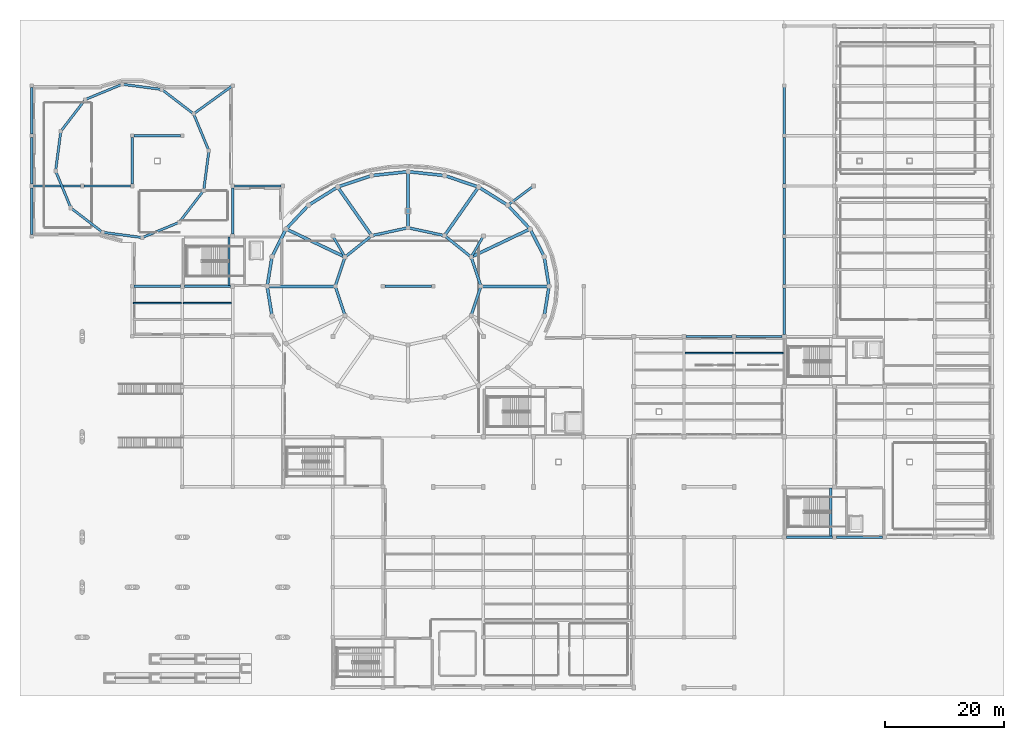
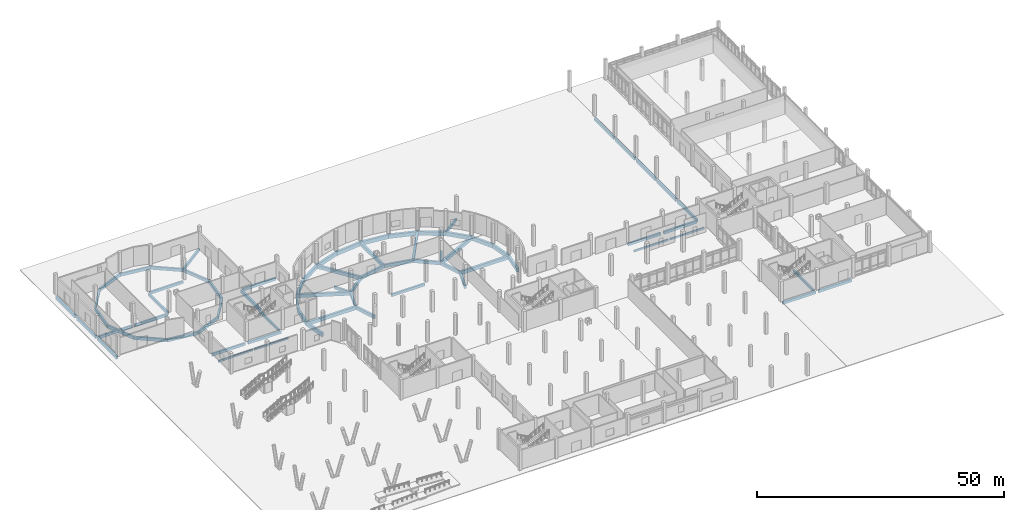
# One storey, part 13 of 64: 72 beams.
"""IFC4 building model written with IfcOpenShell, lengths in metres."""

from ifc_helpers import new_model, si_unit, derived_unit, direction, frame, origin, origin_2d, place, context, subcontext, project, spatial, rectangle, extrude, material, material_profile, profile_set, type_object, element, save


model = new_model("IFC4")

# Units and contexts
model_context = context("Model", 3, precision=1e-05, world=origin(), true_north=direction((0.0, 1.0)))
body_context = subcontext(model_context, "Body", "Model", "MODEL_VIEW")
ifc_project = project(units=[si_unit("LENGTHUNIT", "METRE"), si_unit("AREAUNIT", "SQUARE_METRE"), si_unit("VOLUMEUNIT", "CUBIC_METRE"), si_unit("PLANEANGLEUNIT", "RADIAN"), si_unit("MASSUNIT", "GRAM", prefix="KILO"), derived_unit("THERMALTRANSMITTANCEUNIT", [(si_unit("POWERUNIT", "WATT"), 1), (si_unit("LENGTHUNIT", "METRE"), -2), (si_unit("THERMODYNAMICTEMPERATUREUNIT", "KELVIN"), -1)])], contexts=[model_context])

# Site, building, storey
site_placement = place(None, origin())
site = spatial("IfcSite", under=ifc_project, at=site_placement, CompositionType="ELEMENT")
building_placement = place(site_placement, origin())
building = spatial("IfcBuilding", under=site, at=building_placement, Name="Elbkamm Science Centre", CompositionType="ELEMENT")
storey_placement = place(building_placement, origin())
storey = spatial("IfcBuildingStorey", under=building, at=storey_placement, Name="L00", CompositionType="ELEMENT", Elevation=0.0)

# Beams
ifc_material = material(Name="Concrete C40/50", Category="concrete")
ifc_material_profile_1 = material_profile(ifc_material, rectangle(XDim=0.35009765625, YDim=0.60009765625, at=origin_2d()), Name="RC 350x600")
ifc_profile_set_1 = profile_set([ifc_material_profile_1], Name="Concrete C40/50")
beam_type_1 = type_object("IfcBeamType", Name="BM-RC-350x600", PredefinedType="BEAM", material=ifc_profile_set_1)
for number, where, z_axis, x_axis, name in (
    (1, (32.97998046875, 67.35009765625, -0.300048828125), (0.0, 1.0, 0.0), (-1.0, 0.0, 0.0), "L00 ST-C1 Landing Trimmer Beam"),
    (2, (133.780029296875, 25.35009765625, -0.300048828125), (0.0, 1.0, 0.0), (-1.0, 0.0, 0.0), "L00 ST-C4 Landing Trimmer Beam"),
):
    element("IfcBeam", number, at=place(storey_placement, frame(where, z_axis=z_axis, x_axis=x_axis)), inside=storey, type_object=beam_type_1, Name=name, PredefinedType="BEAM", context=body_context, shape_type="SweptSolid", body=[
        extrude(rectangle(XDim=0.35009765625, YDim=0.60009765625, at=origin_2d()), origin(), (0.0, 0.0, 1.0), 8.099853515625),
    ])
ifc_material_profile_2 = material_profile(ifc_material, rectangle(XDim=0.39990234375, YDim=0.64990234375, at=origin_2d()), Name="RC 400x650")
ifc_profile_set_2 = profile_set([ifc_material_profile_2], Name="Concrete C40/50")
beam_type_2 = type_object("IfcBeamType", Name="BM-RC-400x650", PredefinedType="BEAM", material=ifc_profile_set_2)
for number, where, z_axis, x_axis, name in (
    (3, (126.35009765625, 25.199951171875, -0.625), (1.0, 0.0, 0.0), (0.0, 1.0, 0.0), "L00 Primary X-Girder 025"),
    (4, (134.75, 25.199951171875, -0.625), (1.0, 0.0, 0.0), (0.0, 1.0, 0.0), "L00 Primary X-Girder 026"),
    (5, (109.550048828125, 58.800048828125, -0.625), (1.0, 0.0, 0.0), (0.0, 1.0, 0.0), "L00 Primary X-Girder 062"),
    (6, (117.949951171875, 58.800048828125, -0.625), (1.0, 0.0, 0.0), (0.0, 1.0, 0.0), "L00 Primary X-Girder 063"),
):
    element("IfcBeam", number, at=place(storey_placement, frame(where, z_axis=z_axis, x_axis=x_axis)), inside=storey, type_object=beam_type_2, Name=name, PredefinedType="BEAM", context=body_context, shape_type="SweptSolid", body=[
        extrude(rectangle(XDim=0.39990234375, YDim=0.64990234375, at=origin_2d()), origin(), (0.0, 0.0, 1.0), 7.699951171875),
    ])
beam_1_placement = place(storey_placement, frame((17.10009765625, 67.199951171875, -0.625), z_axis=(1.0, 0.0, 0.0), x_axis=(0.0, 1.0, 0.0)))
element("IfcBeam", 7, at=beam_1_placement, inside=storey, type_object=beam_type_2, Name="L00 Primary X-Girder 066", PredefinedType="BEAM", context=body_context, shape_type="SweptSolid", body=[
    extrude(rectangle(XDim=0.39990234375, YDim=0.64990234375, at=origin_2d()), origin(), (0.0, 0.0, 1.0), 7.75),
])
beam_2_placement = place(storey_placement, frame((25.550048828125, 67.199951171875, -0.625), z_axis=(1.0, 0.0, 0.0), x_axis=(0.0, 1.0, 0.0)))
element("IfcBeam", 8, at=beam_2_placement, inside=storey, type_object=beam_type_2, Name="L00 Primary X-Girder 067", PredefinedType="BEAM", context=body_context, shape_type="SweptSolid", body=[
    extrude(rectangle(XDim=0.39990234375, YDim=0.64990234375, at=origin_2d()), origin(), (0.0, 0.0, 1.0), 7.699951171875),
])
beam_3_placement = place(storey_placement, frame((59.10009765625, 67.199951171875, -0.625), z_axis=(1.0, 0.0, 0.0), x_axis=(0.0, 1.0, 0.0)))
element("IfcBeam", 9, at=beam_3_placement, inside=storey, type_object=beam_type_2, Name="L00 Primary X-Girder 068", PredefinedType="BEAM", context=body_context, shape_type="SweptSolid", body=[
    extrude(rectangle(XDim=0.39990234375, YDim=0.64990234375, at=origin_2d()), origin(), (0.0, 0.0, 1.0), 7.7998046875),
])
for number, where, z_axis, x_axis, name in (
    (10, (0.300048828125, 84.0, -0.625), (1.0, 0.0, 0.0), (0.0, 1.0, 0.0), "L00 Primary X-Girder 077"),
    (11, (8.699951171875, 84.0, -0.625), (1.0, 0.0, 0.0), (0.0, 1.0, 0.0), "L00 Primary X-Girder 078"),
    (12, (33.89990234375, 84.0, -0.625), (1.0, 0.0, 0.0), (0.0, 1.0, 0.0), "L00 Primary X-Girder 079"),
):
    element("IfcBeam", number, at=place(storey_placement, frame(where, z_axis=z_axis, x_axis=x_axis)), inside=storey, type_object=beam_type_2, Name=name, PredefinedType="BEAM", context=body_context, shape_type="SweptSolid", body=[
        extrude(rectangle(XDim=0.39990234375, YDim=0.64990234375, at=origin_2d()), origin(), (0.0, 0.0, 1.0), 7.800048828125),
    ])
beam_4_placement = place(storey_placement, frame((17.10009765625, 92.39990234375, -0.625), z_axis=(1.0, 0.0, 0.0), x_axis=(0.0, 1.0, 0.0)))
element("IfcBeam", 13, at=beam_4_placement, inside=storey, type_object=beam_type_2, Name="L00 Primary X-Girder 084", PredefinedType="BEAM", context=body_context, shape_type="SweptSolid", body=[
    extrude(rectangle(XDim=0.39990234375, YDim=0.64990234375, at=origin_2d()), origin(), (0.0, 0.0, 1.0), 7.7998046875),
])
beam_5_placement = place(storey_placement, frame((33.421630859375, 100.671142578125, -0.625), z_axis=(-0.81045928616, -0.585794968805, 0.0), x_axis=(0.585794968805, -0.81045928616, 0.0)))
element("IfcBeam", 14, at=beam_5_placement, inside=storey, type_object=beam_type_2, Name="L00 Perimeter Ring Tie Girder 009", PredefinedType="BEAM", context=body_context, shape_type="SweptSolid", body=[
    extrude(rectangle(XDim=0.39990234375, YDim=0.64990234375, at=origin_2d()), origin(), (0.0, 0.0, 1.0), 7.6123046875),
])
for number, where, z_axis, x_axis, name in (
    (15, (50.510498046875, 75.409912109375, -0.625), (0.502465212806, -0.864597426506, 0.0), (0.864597426506, 0.502465212806, 0.0), "L00 Perimeter Ring Tie Girder 011"),
    (16, (75.489501953125, 75.409912109375, -0.625), (-0.502465212806, -0.864597426506, 0.0), (0.864597426506, -0.502465212806, 0.0), "L00 Perimeter Ring Tie Girder 013"),
):
    element("IfcBeam", number, at=place(storey_placement, frame(where, z_axis=z_axis, x_axis=x_axis)), inside=storey, type_object=beam_type_2, Name=name, PredefinedType="BEAM", context=body_context, shape_type="SweptSolid", body=[
        extrude(rectangle(XDim=0.39990234375, YDim=0.64990234375, at=origin_2d()), origin(), (0.0, 0.0, 1.0), 3.608154296875),
    ])
beam_6_placement = place(storey_placement, frame((83.82373046875, 83.868408203125, -0.625), z_axis=(-0.800864326985, -0.598845831382, 0.0), x_axis=(0.598845831382, -0.800864326985, 0.0)))
element("IfcBeam", 17, at=beam_6_placement, inside=storey, type_object=beam_type_2, Name="L00 Perimeter Ring Tie Girder 015", PredefinedType="BEAM", context=body_context, shape_type="SweptSolid", body=[
    extrude(rectangle(XDim=0.39990234375, YDim=0.64990234375, at=origin_2d()), origin(), (0.0, 0.0, 1.0), 4.944091796875),
])
beam_7_placement = place(storey_placement, frame((126.0, 100.580078125, -0.625), z_axis=(0.0, -1.0, 0.0), x_axis=(1.0, 0.0, 0.0)))
element("IfcBeam", 18, at=beam_7_placement, inside=storey, type_object=beam_type_2, Name="L00 Perimeter Ring Tie Girder 016", PredefinedType="BEAM", context=body_context, shape_type="SweptSolid", body=[
    extrude(rectangle(XDim=0.39990234375, YDim=0.64990234375, at=origin_2d()), origin(), (0.0, 0.0, 1.0), 7.9599609375),
])
ifc_material_profile_3 = material_profile(ifc_material, rectangle(XDim=0.39990234375, YDim=0.75, at=origin_2d()), Name="RC 400x750")
ifc_profile_set_3 = profile_set([ifc_material_profile_3], Name="Concrete C40/50")
beam_type_3 = type_object("IfcBeamType", Name="BM-RC-400x750", PredefinedType="BEAM", material=ifc_profile_set_3)
for number, where, z_axis, x_axis, name in (
    (19, (0.0, 75.89990234375, -0.675048828125), (0.0, 1.0, 0.0), (-1.0, 0.0, 0.0), "L00 Primary Y-Girder 001"),
    (20, (0.0, 84.300048828125, -0.675048828125), (0.0, 1.0, 0.0), (-1.0, 0.0, 0.0), "L00 Primary Y-Girder 002"),
    (21, (0.0, 92.699951171875, -0.675048828125), (0.0, 1.0, 0.0), (-1.0, 0.0, 0.0), "L00 Primary Y-Girder 003"),
    (22, (16.800048828125, 84.300048828125, -0.675048828125), (0.0, 1.0, 0.0), (-1.0, 0.0, 0.0), "L00 Primary Y-Girder 005"),
):
    element("IfcBeam", number, at=place(storey_placement, frame(where, z_axis=z_axis, x_axis=x_axis)), inside=storey, type_object=beam_type_3, Name=name, PredefinedType="BEAM", context=body_context, shape_type="SweptSolid", body=[
        extrude(rectangle(XDim=0.39990234375, YDim=0.75, at=origin_2d()), origin(), (0.0, 0.0, 1.0), 7.800048828125),
    ])
for number, where, z_axis, x_axis, name in (
    (23, (33.60009765625, 75.949951171875, -0.675048828125), (0.0, 1.0, 0.0), (-1.0, 0.0, 0.0), "L00 Primary Y-Girder 014"),
    (24, (126.0, 59.14990234375, -0.675048828125), (0.0, 1.0, 0.0), (-1.0, 0.0, 0.0), "L00 Primary Y-Girder 050"),
):
    element("IfcBeam", number, at=place(storey_placement, frame(where, z_axis=z_axis, x_axis=x_axis)), inside=storey, type_object=beam_type_3, Name=name, PredefinedType="BEAM", context=body_context, shape_type="SweptSolid", body=[
        extrude(rectangle(XDim=0.39990234375, YDim=0.75, at=origin_2d()), origin(), (0.0, 0.0, 1.0), 7.75),
    ])
for number, where, z_axis, x_axis, name in (
    (25, (126.0, 67.5, -0.675048828125), (0.0, 1.0, 0.0), (-1.0, 0.0, 0.0), "L00 Primary Y-Girder 051"),
    (26, (126.0, 75.89990234375, -0.675048828125), (0.0, 1.0, 0.0), (-1.0, 0.0, 0.0), "L00 Primary Y-Girder 052"),
    (27, (126.0, 84.300048828125, -0.675048828125), (0.0, 1.0, 0.0), (-1.0, 0.0, 0.0), "L00 Primary Y-Girder 053"),
):
    element("IfcBeam", number, at=place(storey_placement, frame(where, z_axis=z_axis, x_axis=x_axis)), inside=storey, type_object=beam_type_3, Name=name, PredefinedType="BEAM", context=body_context, shape_type="SweptSolid", body=[
        extrude(rectangle(XDim=0.39990234375, YDim=0.75, at=origin_2d()), origin(), (0.0, 0.0, 1.0), 7.800048828125),
    ])
for number, where, z_axis, x_axis, name in (
    (28, (29.638916015625, 89.889892578125, -0.675048828125), (-0.382641294893, 0.923896985298, 0.0), (-0.923896985298, -0.382641294893, 0.0), "L00 Planetarium Drum Ring Spandrel 01"),
    (29, (27.073974609375, 96.0830078125, -0.675048828125), (-0.793316689519, 0.608809190249, 0.0), (-0.608809190249, -0.793316689519, 0.0), "L00 Planetarium Drum Ring Spandrel 02"),
    (30, (21.756103515625, 100.1640625, -0.675048828125), (-0.991444127465, 0.13053176669, 0.0), (-0.13053176669, -0.991444127465, 0.0), "L00 Planetarium Drum Ring Spandrel 03"),
    (31, (15.110107421875, 101.0390625, -0.675048828125), (-0.923896985298, -0.382641294893, 0.0), (0.382641294893, -0.923896985298, 0.0), "L00 Planetarium Drum Ring Spandrel 04"),
):
    element("IfcBeam", number, at=place(storey_placement, frame(where, z_axis=z_axis, x_axis=x_axis)), inside=storey, type_object=beam_type_3, Name=name, PredefinedType="SPANDREL", context=body_context, shape_type="SweptSolid", body=[
        extrude(rectangle(XDim=0.39990234375, YDim=0.75, at=origin_2d()), origin(), (0.0, 0.0, 1.0), 6.703369140625),
    ])
beam_8_placement = place(storey_placement, frame((8.9169921875, 98.47412109375, -0.675048828125), z_axis=(-0.60879160017, -0.793330188233, 0.0), x_axis=(0.793330188233, -0.60879160017, 0.0)))
element("IfcBeam", 32, at=beam_8_placement, inside=storey, type_object=beam_type_3, Name="L00 Planetarium Drum Ring Spandrel 05", PredefinedType="SPANDREL", context=body_context, shape_type="SweptSolid", body=[
    extrude(rectangle(XDim=0.39990234375, YDim=0.75, at=origin_2d()), origin(), (0.0, 0.0, 1.0), 6.70361328125),
])
for number, where, z_axis, x_axis, name in (
    (33, (4.8359375, 93.156005859375, -0.675048828125), (-0.13053176669, -0.991444127465, 0.0), (0.991444127465, -0.13053176669, 0.0), "L00 Planetarium Drum Ring Spandrel 06"),
    (34, (3.9609375, 86.510009765625, -0.675048828125), (0.382641294893, -0.923896985298, 0.0), (0.923896985298, 0.382641294893, 0.0), "L00 Planetarium Drum Ring Spandrel 07"),
    (35, (6.52587890625, 80.31689453125, -0.675048828125), (0.793347778012, -0.608768677844, 0.0), (0.608768677844, 0.793347778012, 0.0), "L00 Planetarium Drum Ring Spandrel 08"),
    (36, (11.843994140625, 76.236083984375, -0.675048828125), (0.991444127465, -0.13053176669, 0.0), (0.13053176669, 0.991444127465, 0.0), "L00 Planetarium Drum Ring Spandrel 09"),
    (37, (18.489990234375, 75.361083984375, -0.675048828125), (0.923896985298, 0.382641294893, 0.0), (-0.382641294893, 0.923896985298, 0.0), "L00 Planetarium Drum Ring Spandrel 10"),
):
    element("IfcBeam", number, at=place(storey_placement, frame(where, z_axis=z_axis, x_axis=x_axis)), inside=storey, type_object=beam_type_3, Name=name, PredefinedType="SPANDREL", context=body_context, shape_type="SweptSolid", body=[
        extrude(rectangle(XDim=0.39990234375, YDim=0.75, at=origin_2d()), origin(), (0.0, 0.0, 1.0), 6.703369140625),
    ])
beam_9_placement = place(storey_placement, frame((24.68310546875, 77.926025390625, -0.675048828125), z_axis=(0.60878626804, 0.793334280015, 0.0), x_axis=(-0.793334280015, 0.60878626804, 0.0)))
element("IfcBeam", 38, at=beam_9_placement, inside=storey, type_object=beam_type_3, Name="L00 Planetarium Drum Ring Spandrel 11", PredefinedType="SPANDREL", context=body_context, shape_type="SweptSolid", body=[
    extrude(rectangle(XDim=0.39990234375, YDim=0.75, at=origin_2d()), origin(), (0.0, 0.0, 1.0), 6.703125),
])
beam_10_placement = place(storey_placement, frame((28.763916015625, 83.243896484375, -0.675048828125), z_axis=(0.13053176669, 0.991444127465, 0.0), x_axis=(-0.991444127465, 0.13053176669, 0.0)))
element("IfcBeam", 39, at=beam_10_placement, inside=storey, type_object=beam_type_3, Name="L00 Planetarium Drum Ring Spandrel 12", PredefinedType="SPANDREL", context=body_context, shape_type="SweptSolid", body=[
    extrude(rectangle(XDim=0.39990234375, YDim=0.75, at=origin_2d()), origin(), (0.0, 0.0, 1.0), 6.703369140625),
])
ifc_material_profile_4 = material_profile(ifc_material, rectangle(XDim=0.449951171875, YDim=0.800048828125, at=origin_2d()), Name="RC 450x800")
ifc_profile_set_4 = profile_set([ifc_material_profile_4], Name="Concrete C40/50")
beam_type_4 = type_object("IfcBeamType", Name="BM-RC-450x800", PredefinedType="BEAM", material=ifc_profile_set_4)
beam_11_placement = place(storey_placement, frame((75.199951171875, 67.199951171875, -0.699951171875), z_axis=(-0.31634119852, 0.948645479681, 0.0), x_axis=(-0.948645479681, -0.31634119852, 0.0)))
element("IfcBeam", 40, at=beam_11_placement, inside=storey, type_object=beam_type_4, Name="L00 Atrium Ring Girder 01", PredefinedType="BEAM", context=body_context, shape_type="SweptSolid", body=[
    extrude(rectangle(XDim=0.449951171875, YDim=0.800048828125, at=origin_2d()), origin(), (0.0, 0.0, 1.0), 5.16552734375),
])
beam_12_placement = place(storey_placement, frame((73.56591796875, 72.10009765625, -0.699951171875), z_axis=(-0.779653109273, 0.626211648887, 0.0), x_axis=(-0.626211648887, -0.779653109273, 0.0)))
element("IfcBeam", 41, at=beam_12_placement, inside=storey, type_object=beam_type_4, Name="L00 Atrium Ring Girder 02", PredefinedType="BEAM", context=body_context, shape_type="SweptSolid", body=[
    extrude(rectangle(XDim=0.449951171875, YDim=0.800048828125, at=origin_2d()), origin(), (0.0, 0.0, 1.0), 5.72802734375),
])
for number, where, z_axis, x_axis, name in (
    (42, (69.10009765625, 75.68701171875, -0.699951171875), (-0.97761076487, 0.210421463759, 0.0), (-0.210421463759, -0.97761076487, 0.0), "L00 Atrium Ring Girder 03"),
    (43, (63.0, 77.0, -0.699951171875), (-0.97761076487, -0.210421463759, 0.0), (0.210421463759, -0.97761076487, 0.0), "L00 Atrium Ring Girder 04"),
):
    element("IfcBeam", number, at=place(storey_placement, frame(where, z_axis=z_axis, x_axis=x_axis)), inside=storey, type_object=beam_type_4, Name=name, PredefinedType="BEAM", context=body_context, shape_type="SweptSolid", body=[
        extrude(rectangle(XDim=0.449951171875, YDim=0.800048828125, at=origin_2d()), origin(), (0.0, 0.0, 1.0), 6.23974609375),
    ])
beam_13_placement = place(storey_placement, frame((56.89990234375, 75.68701171875, -0.699951171875), z_axis=(-0.779653109273, -0.626211648887, 0.0), x_axis=(0.626211648887, -0.779653109273, 0.0)))
element("IfcBeam", 44, at=beam_13_placement, inside=storey, type_object=beam_type_4, Name="L00 Atrium Ring Girder 05", PredefinedType="BEAM", context=body_context, shape_type="SweptSolid", body=[
    extrude(rectangle(XDim=0.449951171875, YDim=0.800048828125, at=origin_2d()), origin(), (0.0, 0.0, 1.0), 5.72802734375),
])
beam_14_placement = place(storey_placement, frame((52.43408203125, 72.10009765625, -0.699951171875), z_axis=(-0.31634119852, -0.948645479681, 0.0), x_axis=(0.948645479681, -0.31634119852, 0.0)))
element("IfcBeam", 45, at=beam_14_placement, inside=storey, type_object=beam_type_4, Name="L00 Atrium Ring Girder 06", PredefinedType="BEAM", context=body_context, shape_type="SweptSolid", body=[
    extrude(rectangle(XDim=0.449951171875, YDim=0.800048828125, at=origin_2d()), origin(), (0.0, 0.0, 1.0), 5.16552734375),
])
for number, where, z_axis, x_axis, name in (
    (46, (50.800048828125, 67.199951171875, -0.699951171875), (0.316355382987, -0.948640749523, 0.0), (0.948640749523, 0.316355382987, 0.0), "L00 Atrium Ring Girder 07"),
    (47, (73.56591796875, 62.300048828125, -0.699951171875), (0.316355382987, 0.948640749523, 0.0), (-0.948640749523, 0.316355382987, 0.0), "L00 Atrium Ring Girder 12"),
):
    element("IfcBeam", number, at=place(storey_placement, frame(where, z_axis=z_axis, x_axis=x_axis)), inside=storey, type_object=beam_type_4, Name=name, PredefinedType="BEAM", context=body_context, shape_type="SweptSolid", body=[
        extrude(rectangle(XDim=0.449951171875, YDim=0.800048828125, at=origin_2d()), origin(), (0.0, 0.0, 1.0), 5.165283203125),
    ])
ifc_material_profile_5 = material_profile(ifc_material, rectangle(XDim=0.5, YDim=0.85009765625, at=origin_2d()), Name="RC 500x850")
ifc_profile_set_5 = profile_set([ifc_material_profile_5], Name="Concrete C40/50")
beam_type_5 = type_object("IfcBeamType", Name="BM-RC-500x850", PredefinedType="BEAM", material=ifc_profile_set_5)
beam_15_placement = place(storey_placement, frame((75.199951171875, 67.199951171875, -0.72509765625), z_axis=(1.0, 0.0, 0.0), x_axis=(0.0, 1.0, 0.0)))
element("IfcBeam", 48, at=beam_15_placement, inside=storey, type_object=beam_type_5, Name="L00 Elliptical Radial Girder 01", PredefinedType="BEAM", context=body_context, shape_type="SweptSolid", body=[
    extrude(rectangle(XDim=0.5, YDim=0.85009765625, at=origin_2d()), origin(), (0.0, 0.0, 1.0), 11.400146484375),
])
beam_16_placement = place(storey_placement, frame((73.56591796875, 72.10009765625, -0.72509765625), z_axis=(0.902897249077, 0.429856438371, 0.0), x_axis=(-0.429856438371, 0.902897249077, 0.0)))
element("IfcBeam", 49, at=beam_16_placement, inside=storey, type_object=beam_type_5, Name="L00 Elliptical Radial Girder 02", PredefinedType="BEAM", context=body_context, shape_type="SweptSolid", body=[
    extrude(rectangle(XDim=0.5, YDim=0.85009765625, at=origin_2d()), origin(), (0.0, 0.0, 1.0), 10.933837890625),
])
beam_17_placement = place(storey_placement, frame((69.10009765625, 75.68701171875, -0.72509765625), z_axis=(0.573553022395, 0.819168438419, 0.0), x_axis=(-0.819168438419, 0.573553022395, 0.0)))
element("IfcBeam", 50, at=beam_17_placement, inside=storey, type_object=beam_type_5, Name="L00 Elliptical Radial Girder 03", PredefinedType="BEAM", context=body_context, shape_type="SweptSolid", body=[
    extrude(rectangle(XDim=0.5, YDim=0.85009765625, at=origin_2d()), origin(), (0.0, 0.0, 1.0), 9.93798828125),
])
beam_18_placement = place(storey_placement, frame((63.0, 77.0, -0.72509765625), z_axis=(0.0, 1.0, 0.0), x_axis=(-1.0, 0.0, 0.0)))
element("IfcBeam", 51, at=beam_18_placement, inside=storey, type_object=beam_type_5, Name="L00 Elliptical Radial Girder 04", PredefinedType="BEAM", context=body_context, shape_type="SweptSolid", body=[
    extrude(rectangle(XDim=0.5, YDim=0.85009765625, at=origin_2d()), origin(), (0.0, 0.0, 1.0), 9.39990234375),
])
beam_19_placement = place(storey_placement, frame((56.89990234375, 75.68701171875, -0.72509765625), z_axis=(-0.573553022395, 0.819168438419, 0.0), x_axis=(-0.819168438419, -0.573553022395, 0.0)))
element("IfcBeam", 52, at=beam_19_placement, inside=storey, type_object=beam_type_5, Name="L00 Elliptical Radial Girder 05", PredefinedType="BEAM", context=body_context, shape_type="SweptSolid", body=[
    extrude(rectangle(XDim=0.5, YDim=0.85009765625, at=origin_2d()), origin(), (0.0, 0.0, 1.0), 9.93798828125),
])
beam_20_placement = place(storey_placement, frame((52.43408203125, 72.10009765625, -0.72509765625), z_axis=(-0.902897249077, 0.429856438371, 0.0), x_axis=(-0.429856438371, -0.902897249077, 0.0)))
element("IfcBeam", 53, at=beam_20_placement, inside=storey, type_object=beam_type_5, Name="L00 Elliptical Radial Girder 06", PredefinedType="BEAM", context=body_context, shape_type="SweptSolid", body=[
    extrude(rectangle(XDim=0.5, YDim=0.85009765625, at=origin_2d()), origin(), (0.0, 0.0, 1.0), 10.933837890625),
])
beam_21_placement = place(storey_placement, frame((50.800048828125, 67.199951171875, -0.72509765625), z_axis=(-1.0, 0.0, 0.0), x_axis=(0.0, -1.0, 0.0)))
element("IfcBeam", 54, at=beam_21_placement, inside=storey, type_object=beam_type_5, Name="L00 Elliptical Radial Girder 07", PredefinedType="BEAM", context=body_context, shape_type="SweptSolid", body=[
    extrude(rectangle(XDim=0.5, YDim=0.85009765625, at=origin_2d()), origin(), (0.0, 0.0, 1.0), 11.400146484375),
])
ifc_material_profile_6 = material_profile(ifc_material, rectangle(XDim=0.5, YDim=0.949951171875, at=origin_2d()), Name="RC 500x950")
ifc_profile_set_6 = profile_set([ifc_material_profile_6], Name="Concrete C40/50")
beam_type_6 = type_object("IfcBeamType", Name="BM-RC-500x950", PredefinedType="BEAM", material=ifc_profile_set_6)
beam_22_placement = place(storey_placement, frame((86.60009765625, 67.199951171875, -0.77490234375), z_axis=(-0.15976460627, 0.987155140078, 0.0), x_axis=(-0.987155140078, -0.15976460627, 0.0)))
element("IfcBeam", 55, at=beam_22_placement, inside=storey, type_object=beam_type_6, Name="L00 Elliptical Shell Perimeter Ring Beam 01", PredefinedType="SPANDREL", context=body_context, shape_type="SweptSolid", body=[
    extrude(rectangle(XDim=0.5, YDim=0.949951171875, at=origin_2d()), origin(), (0.0, 0.0, 1.0), 5.03369140625),
])
beam_23_placement = place(storey_placement, frame((85.7958984375, 72.1689453125, -0.77490234375), z_axis=(-0.453722384609, 0.891143084866, 0.0), x_axis=(-0.891143084866, -0.453722384609, 0.0)))
element("IfcBeam", 56, at=beam_23_placement, inside=storey, type_object=beam_type_6, Name="L00 Elliptical Shell Perimeter Ring Beam 02", PredefinedType="SPANDREL", context=body_context, shape_type="SweptSolid", body=[
    extrude(rectangle(XDim=0.5, YDim=0.949951171875, at=origin_2d()), origin(), (0.0, 0.0, 1.0), 5.19677734375),
])
beam_24_placement = place(storey_placement, frame((83.43798828125, 76.800048828125, -0.77490234375), z_axis=(-0.686144611421, 0.727465169075, 0.0), x_axis=(-0.727465169075, -0.686144611421, 0.0)))
element("IfcBeam", 57, at=beam_24_placement, inside=storey, type_object=beam_type_6, Name="L00 Elliptical Shell Perimeter Ring Beam 03", PredefinedType="SPANDREL", context=body_context, shape_type="SweptSolid", body=[
    extrude(rectangle(XDim=0.5, YDim=0.949951171875, at=origin_2d()), origin(), (0.0, 0.0, 1.0), 5.46533203125),
])
beam_25_placement = place(storey_placement, frame((79.68798828125, 80.77587890625, -0.77490234375), z_axis=(-0.848229099729, 0.529629487824, 0.0), x_axis=(-0.529629487824, -0.848229099729, 0.0)))
element("IfcBeam", 58, at=beam_25_placement, inside=storey, type_object=beam_type_6, Name="L00 Elliptical Shell Perimeter Ring Beam 04", PredefinedType="SPANDREL", context=body_context, shape_type="SweptSolid", body=[
    extrude(rectangle(XDim=0.5, YDim=0.949951171875, at=origin_2d()), origin(), (0.0, 0.0, 1.0), 5.762451171875),
])
beam_26_placement = place(storey_placement, frame((74.800048828125, 83.827880859375, -0.77490234375), z_axis=(-0.947637651085, 0.319347588444, 0.0), x_axis=(-0.319347588444, -0.947637651085, 0.0)))
element("IfcBeam", 59, at=beam_26_placement, inside=storey, type_object=beam_type_6, Name="L00 Elliptical Shell Perimeter Ring Beam 05", PredefinedType="SPANDREL", context=body_context, shape_type="SweptSolid", body=[
    extrude(rectangle(XDim=0.5, YDim=0.949951171875, at=origin_2d()), origin(), (0.0, 0.0, 1.0), 6.006591796875),
])
for number, where, z_axis, x_axis, name in (
    (60, (69.10791015625, 85.74609375, -0.77490234375), (-0.994319674005, 0.106434890358, 0.0), (-0.106434890358, -0.994319674005, 0.0), "L00 Elliptical Shell Perimeter Ring Beam 06"),
    (61, (63.0, 86.39990234375, -0.77490234375), (-0.994319674005, -0.106434890358, 0.0), (0.106434890358, -0.994319674005, 0.0), "L00 Elliptical Shell Perimeter Ring Beam 07"),
):
    element("IfcBeam", number, at=place(storey_placement, frame(where, z_axis=z_axis, x_axis=x_axis)), inside=storey, type_object=beam_type_6, Name=name, PredefinedType="SPANDREL", context=body_context, shape_type="SweptSolid", body=[
        extrude(rectangle(XDim=0.5, YDim=0.949951171875, at=origin_2d()), origin(), (0.0, 0.0, 1.0), 6.142822265625),
    ])
beam_27_placement = place(storey_placement, frame((56.89208984375, 85.74609375, -0.77490234375), z_axis=(-0.947637651085, -0.319347588444, 0.0), x_axis=(0.319347588444, -0.947637651085, 0.0)))
element("IfcBeam", 62, at=beam_27_placement, inside=storey, type_object=beam_type_6, Name="L00 Elliptical Shell Perimeter Ring Beam 08", PredefinedType="SPANDREL", context=body_context, shape_type="SweptSolid", body=[
    extrude(rectangle(XDim=0.5, YDim=0.949951171875, at=origin_2d()), origin(), (0.0, 0.0, 1.0), 6.006591796875),
])
beam_28_placement = place(storey_placement, frame((51.199951171875, 83.827880859375, -0.77490234375), z_axis=(-0.848229099729, -0.529629487824, 0.0), x_axis=(0.529629487824, -0.848229099729, 0.0)))
element("IfcBeam", 63, at=beam_28_placement, inside=storey, type_object=beam_type_6, Name="L00 Elliptical Shell Perimeter Ring Beam 09", PredefinedType="SPANDREL", context=body_context, shape_type="SweptSolid", body=[
    extrude(rectangle(XDim=0.5, YDim=0.949951171875, at=origin_2d()), origin(), (0.0, 0.0, 1.0), 5.762451171875),
])
beam_29_placement = place(storey_placement, frame((46.31201171875, 80.77587890625, -0.77490234375), z_axis=(-0.686144611421, -0.727465169075, 0.0), x_axis=(0.727465169075, -0.686144611421, 0.0)))
element("IfcBeam", 64, at=beam_29_placement, inside=storey, type_object=beam_type_6, Name="L00 Elliptical Shell Perimeter Ring Beam 10", PredefinedType="SPANDREL", context=body_context, shape_type="SweptSolid", body=[
    extrude(rectangle(XDim=0.5, YDim=0.949951171875, at=origin_2d()), origin(), (0.0, 0.0, 1.0), 5.46533203125),
])
beam_30_placement = place(storey_placement, frame((42.56201171875, 76.800048828125, -0.77490234375), z_axis=(-0.453722384609, -0.891143084866, 0.0), x_axis=(0.891143084866, -0.453722384609, 0.0)))
element("IfcBeam", 65, at=beam_30_placement, inside=storey, type_object=beam_type_6, Name="L00 Elliptical Shell Perimeter Ring Beam 11", PredefinedType="SPANDREL", context=body_context, shape_type="SweptSolid", body=[
    extrude(rectangle(XDim=0.5, YDim=0.949951171875, at=origin_2d()), origin(), (0.0, 0.0, 1.0), 5.19677734375),
])
for number, where, z_axis, x_axis, name in (
    (66, (40.2041015625, 72.1689453125, -0.77490234375), (-0.15976460627, -0.987155140078, 0.0), (0.987155140078, -0.15976460627, 0.0), "L00 Elliptical Shell Perimeter Ring Beam 12"),
    (67, (39.39990234375, 67.199951171875, -0.77490234375), (0.15976460627, -0.987155140078, 0.0), (0.987155140078, 0.15976460627, 0.0), "L00 Elliptical Shell Perimeter Ring Beam 13"),
    (68, (85.7958984375, 62.23095703125, -0.77490234375), (0.15976460627, 0.987155140078, 0.0), (-0.987155140078, 0.15976460627, 0.0), "L00 Elliptical Shell Perimeter Ring Beam 24"),
):
    element("IfcBeam", number, at=place(storey_placement, frame(where, z_axis=z_axis, x_axis=x_axis)), inside=storey, type_object=beam_type_6, Name=name, PredefinedType="SPANDREL", context=body_context, shape_type="SweptSolid", body=[
        extrude(rectangle(XDim=0.5, YDim=0.949951171875, at=origin_2d()), origin(), (0.0, 0.0, 1.0), 5.03369140625),
    ])
ifc_material_profile_7 = material_profile(ifc_material, rectangle(XDim=0.25, YDim=0.449951171875, at=origin_2d()), Name="RC 250x450")
ifc_profile_set_7 = profile_set([ifc_material_profile_7], Name="Concrete C40/50")
beam_type_7 = type_object("IfcBeamType", Name="JST-RC-250x450", PredefinedType="JOIST", material=ifc_profile_set_7)
for number, where, z_axis, x_axis, name in (
    (69, (16.97998046875, 64.39990234375, -0.52490234375), (1.0, 0.0, 0.0), (0.0, 1.0, 0.0), "L00 Secondary Floor Joist 002"),
    (70, (25.3798828125, 64.39990234375, -0.52490234375), (1.0, 0.0, 0.0), (0.0, 1.0, 0.0), "L00 Secondary Floor Joist 004"),
    (71, (109.3798828125, 56.0, -0.52490234375), (1.0, 0.0, 0.0), (0.0, 1.0, 0.0), "L00 Secondary Floor Joist 032"),
    (72, (117.780029296875, 56.0, -0.52490234375), (1.0, 0.0, 0.0), (0.0, 1.0, 0.0), "L00 Secondary Floor Joist 036"),
):
    element("IfcBeam", number, at=place(storey_placement, frame(where, z_axis=z_axis, x_axis=x_axis)), inside=storey, type_object=beam_type_7, Name=name, PredefinedType="JOIST", context=body_context, shape_type="SweptSolid", body=[
        extrude(rectangle(XDim=0.25, YDim=0.449951171875, at=origin_2d()), origin(), (0.0, 0.0, 1.0), 8.0400390625),
    ])

save(model, "model.ifc")
